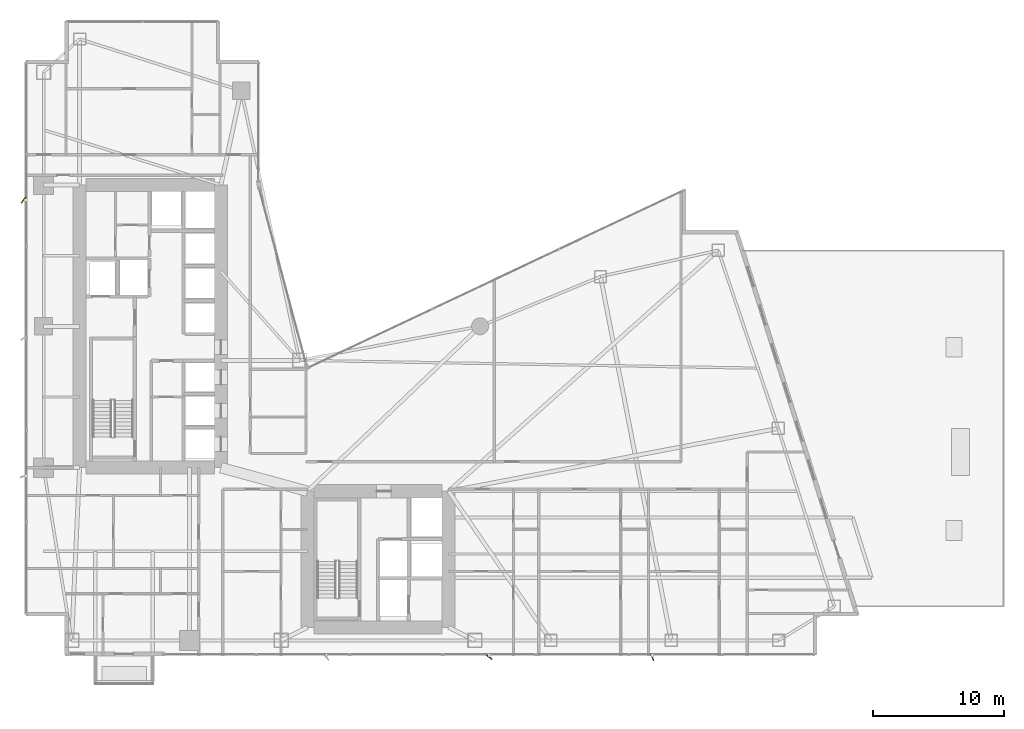
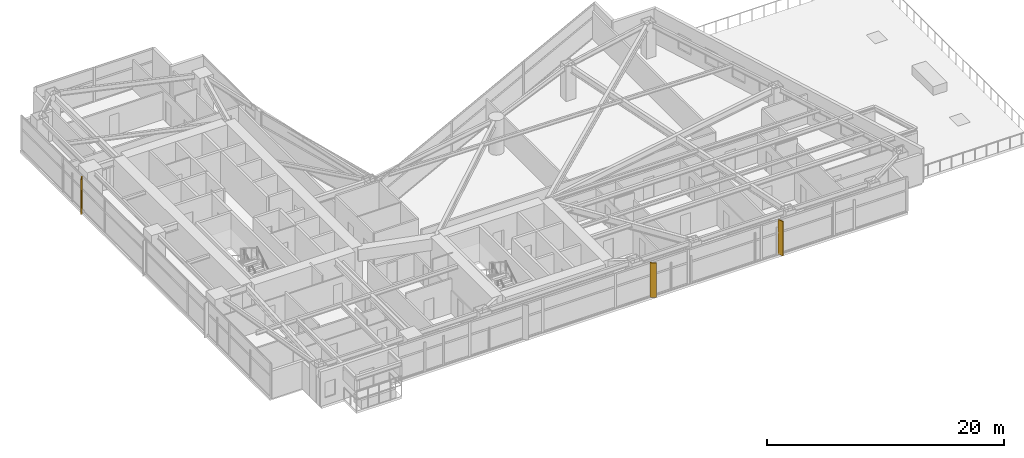
# One storey, part 29 of 30: 3 shading devices.
"""IFC4 building model written with IfcOpenShell, lengths in metres."""

from ifc_helpers import new_model, si_unit, direction, frame, origin, origin_2d, place, context, subcontext, project, spatial, rectangle, extrude, material, type_object, element, save


model = new_model("IFC4")

# Units and contexts
model_context = context("Model", 3, precision=1e-05, world=origin(), true_north=direction((0.0, 1.0)))
body_context = subcontext(model_context, "Body", "Model", "MODEL_VIEW")
ifc_project = project(units=[si_unit("LENGTHUNIT", "METRE"), si_unit("AREAUNIT", "SQUARE_METRE"), si_unit("VOLUMEUNIT", "CUBIC_METRE"), si_unit("PLANEANGLEUNIT", "RADIAN"), si_unit("MASSUNIT", "GRAM", prefix="KILO")], contexts=[model_context])

# Site, building, storey
site_placement = place(None, origin())
site = spatial("IfcSite", under=ifc_project, at=site_placement, CompositionType="ELEMENT")
building_placement = place(site_placement, origin())
building = spatial("IfcBuilding", under=site, at=building_placement, Name="Calvorn Quay Hotel", CompositionType="ELEMENT")
storey_placement = place(building_placement, frame((0.0, 0.0, 27.0)))
storey = spatial("IfcBuildingStorey", under=building, at=storey_placement, Name="L05", CompositionType="ELEMENT", Elevation=27.0)

# Shading devices
ifc_material_1 = material(Name="Champagne Bronze Anodised Aluminium 6063-T6", Category="aluminium")
shading_device_type_1 = type_object("IfcShadingDeviceType", Name="SHD-FIN-A1", PredefinedType="USERDEFINED", material=ifc_material_1)
shading_device_placement = place(storey_placement, frame((47.949951171875, 2.320068359375, 0.0), z_axis=(0.0, 0.0, 1.0), x_axis=(-0.374606593416, 0.927183854567, 0.0)))
element("IfcShadingDevice", 1, at=shading_device_placement, inside=storey, type_object=shading_device_type_1, Name="Diagonal Sun-Shading Fin L05-S03", ObjectType="FIN", PredefinedType="USERDEFINED", context=body_context, shape_type="SweptSolid", body=[
    extrude(rectangle(XDim=0.550048828125, YDim=0.080078125, at=origin_2d()), origin(), (0.0, 0.0, 1.0), 3.56005859375),
])
ifc_material_2 = material(Name="Champagne Bronze Anodised Aluminium 6063-T6", Category="aluminium")
shading_device_type_2 = type_object("IfcShadingDeviceType", Name="SHD-FIN-A3", PredefinedType="USERDEFINED", material=ifc_material_2)
for number, where, z_axis, x_axis, name in (
    (2, (-0.080078125, 37.25, 0.0), (0.0, 0.0, 1.0), (0.587785252292, 0.809016994375, 0.0), "Diagonal Sun-Shading Fin L05-W03"),
    (3, (35.5, 2.320068359375, 0.0), (0.0, 0.0, 1.0), (-0.809016994375, 0.587785252292, 0.0), "Diagonal Sun-Shading Fin L05-S02"),
):
    element("IfcShadingDevice", number, at=place(storey_placement, frame(where, z_axis=z_axis, x_axis=x_axis)), inside=storey, type_object=shading_device_type_2, Name=name, ObjectType="FIN", PredefinedType="USERDEFINED", context=body_context, shape_type="SweptSolid", body=[
        extrude(rectangle(XDim=0.550048828125, YDim=0.080078125, at=origin_2d()), origin(), (0.0, 0.0, 1.0), 3.56005859375),
    ])

save(model, "model.ifc")
